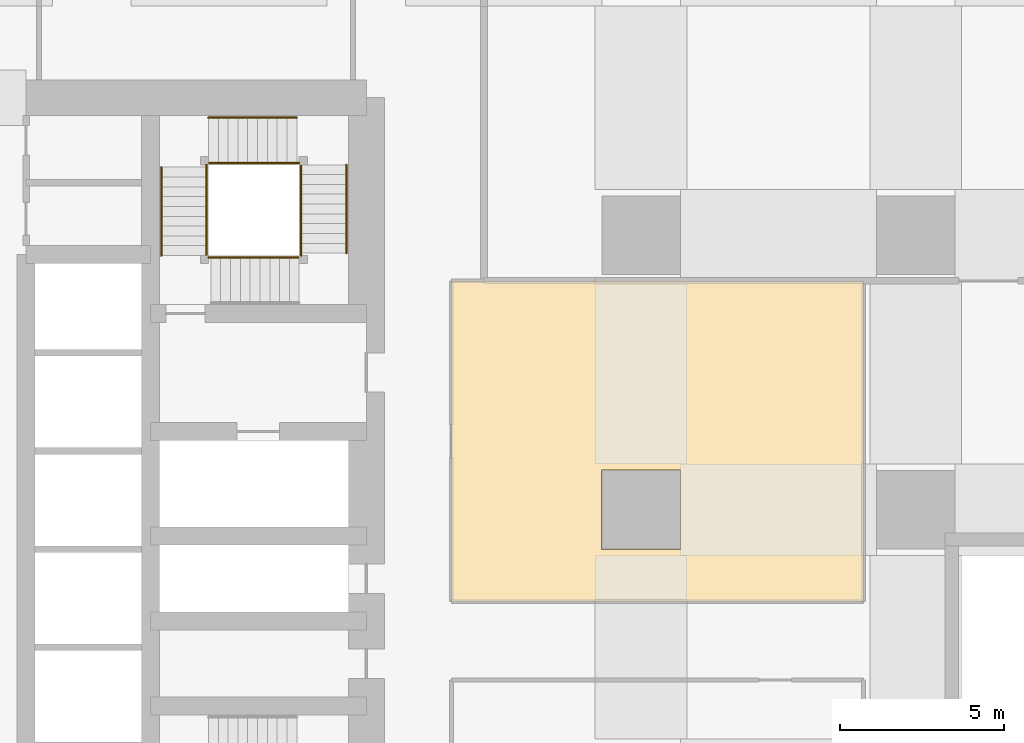
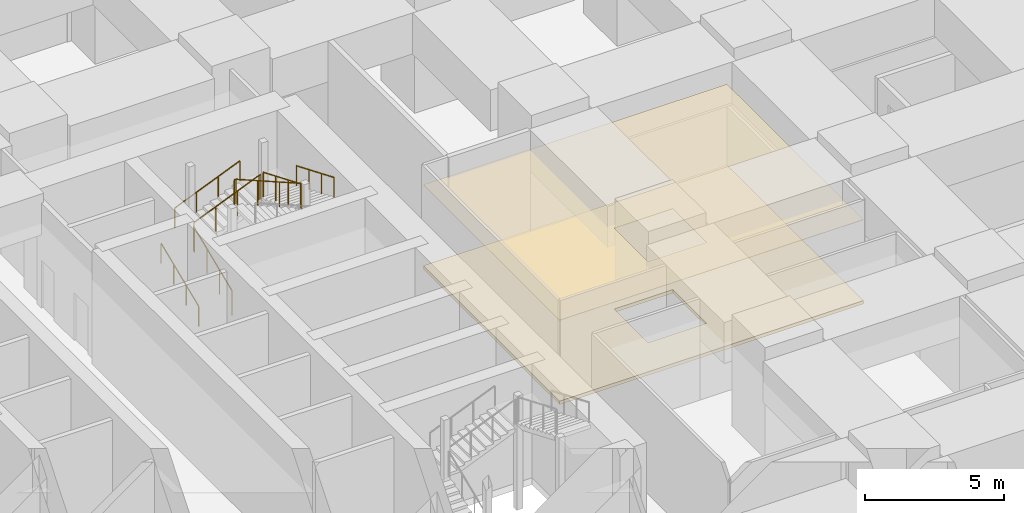
# One storey, part 51 of 52: 11 railings, 2 coverings.
"""IFC4 building model written with IfcOpenShell, lengths in metres."""

from ifc_helpers import new_model, si_unit, direction, frame, origin, origin_2d, place, context, subcontext, project, spatial, polyline, circle, outline, extrude, material, layer, layer_set, type_object, element, save


model = new_model("IFC4")

# Units and contexts
model_context = context("Model", 3, precision=1e-05, world=origin(), true_north=direction((0.0, 1.0)))
body_context = subcontext(model_context, "Body", "Model", "MODEL_VIEW")
ifc_project = project(units=[si_unit("LENGTHUNIT", "METRE"), si_unit("AREAUNIT", "SQUARE_METRE"), si_unit("VOLUMEUNIT", "CUBIC_METRE"), si_unit("PLANEANGLEUNIT", "RADIAN"), si_unit("MASSUNIT", "GRAM", prefix="KILO")], contexts=[model_context])

# Site, building, storey
site_placement = place(None, origin())
site = spatial("IfcSite", under=ifc_project, at=site_placement, CompositionType="ELEMENT")
building_placement = place(site_placement, origin())
building = spatial("IfcBuilding", under=site, at=building_placement, Name="Rekha Terrace Tower", CompositionType="ELEMENT")
storey_placement = place(building_placement, frame((0.0, 0.0, 20.39990234375)))
storey = spatial("IfcBuildingStorey", under=building, at=storey_placement, Name="L04", CompositionType="ELEMENT", Elevation=20.39990234375)

# Covering
ifc_material_1 = material(Name="Mineral fibre tile in exposed grid", Category="finish")
ifc_layer_1 = layer(ifc_material_1, 0.02001953125)
ifc_layer_set_1 = layer_set([ifc_layer_1], Name="Mineral fibre tile in exposed grid")
covering_type_1 = type_object("IfcCoveringType", Name="CL1 600x1200 office grid ceiling", PredefinedType="CEILING", material=ifc_layer_set_1)
covering_1_placement = place(storey_placement, frame((0.0, 0.0, 3.68017578125)))
element("IfcCovering", 1, at=covering_1_placement, inside=storey, type_object=covering_type_1, Name="Ceiling L04-10", PredefinedType="CEILING", context=body_context, shape_type="SweptSolid", body=[
    extrude(outline(polyline([(53.0, 40.60009765625), (53.0, 30.800048828125), (65.60009765625, 30.800048828125), (65.60009765625, 40.60009765625), (53.0, 40.60009765625)]), holes=[polyline([(57.5849609375, 32.385009765625), (57.5849609375, 34.81494140625), (60.014892578125, 34.81494140625), (60.014892578125, 32.385009765625), (57.5849609375, 32.385009765625)])]), origin(), (0.0, 0.0, 1.0), 0.02001953125),
])

# Railings
ifc_material_2 = material(Name="Stainless steel balustrade", Category="steel")
railing_type_1 = type_object("IfcRailingType", Name="GR1 1100 stair guard", PredefinedType="GUARDRAIL", material=ifc_material_2)
railing_1_placement = place(storey_placement, frame((45.514892578125, 41.375, 0.125)))
element("IfcRailing", 2, at=railing_1_placement, inside=storey, type_object=railing_type_1, Name="Guard ST2 L04 flight 1", PredefinedType="GUARDRAIL", context=body_context, shape_type="SweptSolid", body=[
    extrude(circle(Radius=0.02392578125, at=origin_2d()), frame((0.0, 0.0, 1.076171875), z_axis=(0.0, 0.923074453586, 0.384621311341), x_axis=(-1.0, 0.0, 0.0)), (0.0, 0.0, 1.0), 2.925048828125),
    extrude(circle(Radius=0.02099609375, at=origin_2d()), origin(), (0.0, 0.0, 1.0), 1.052001953125),
    extrude(circle(Radius=0.02099609375, at=origin_2d()), frame((0.0, 0.89990234375, 0.375)), (0.0, 0.0, 1.0), 1.052001953125),
    extrude(circle(Radius=0.02099609375, at=origin_2d()), frame((0.0, 1.800048828125, 0.75)), (0.0, 0.0, 1.0), 1.052001953125),
    extrude(circle(Radius=0.02099609375, at=origin_2d()), frame((0.0, 2.699951171875, 1.125)), (0.0, 0.0, 1.0), 1.052001953125),
])
railing_2_placement = place(storey_placement, frame((45.574951171875, 44.2099609375, 1.375)))
element("IfcRailing", 3, at=railing_2_placement, inside=storey, type_object=railing_type_1, Name="Guard ST2 L04 flight 2", PredefinedType="GUARDRAIL", context=body_context, shape_type="SweptSolid", body=[
    extrude(circle(Radius=0.02392578125, at=origin_2d()), frame((0.0, 0.0, 1.076171875), z_axis=(0.923074453586, 0.0, 0.384621311341), x_axis=(0.0, 1.0, 0.0)), (0.0, 0.0, 1.0), 2.925048828125),
    extrude(circle(Radius=0.02099609375, at=origin_2d()), origin(), (0.0, 0.0, 1.0), 1.052001953125),
    extrude(circle(Radius=0.02099609375, at=origin_2d()), frame((0.89990234375, 0.0, 0.375)), (0.0, 0.0, 1.0), 1.052001953125),
    extrude(circle(Radius=0.02099609375, at=origin_2d()), frame((1.800048828125, 0.0, 0.75)), (0.0, 0.0, 1.0), 1.052001953125),
    extrude(circle(Radius=0.02099609375, at=origin_2d()), frame((2.699951171875, 0.0, 1.125)), (0.0, 0.0, 1.0), 1.052001953125),
])
railing_3_placement = place(storey_placement, frame((48.409912109375, 44.14990234375, 2.625)))
element("IfcRailing", 4, at=railing_3_placement, inside=storey, type_object=railing_type_1, Name="Guard ST2 L04 flight 3", PredefinedType="GUARDRAIL", context=body_context, shape_type="SweptSolid", body=[
    extrude(circle(Radius=0.02392578125, at=origin_2d()), frame((0.0, 0.0, 1.076171875), z_axis=(0.0, -0.923074453586, 0.384621311341), x_axis=(1.0, 0.0, 0.0)), (0.0, 0.0, 1.0), 2.925048828125),
    extrude(circle(Radius=0.02099609375, at=origin_2d()), origin(), (0.0, 0.0, 1.0), 1.052001953125),
    extrude(circle(Radius=0.02099609375, at=origin_2d()), frame((0.0, -0.89990234375, 0.375)), (0.0, 0.0, 1.0), 1.052001953125),
    extrude(circle(Radius=0.02099609375, at=origin_2d()), frame((0.0, -1.800048828125, 0.75)), (0.0, 0.0, 1.0), 1.052001953125),
    extrude(circle(Radius=0.02099609375, at=origin_2d()), frame((0.0, -2.699951171875, 1.125)), (0.0, 0.0, 1.0), 1.052001953125),
])
railing_4_placement = place(storey_placement, frame((48.35009765625, 41.31494140625, 3.875)))
element("IfcRailing", 5, at=railing_4_placement, inside=storey, type_object=railing_type_1, Name="Guard ST2 L04 flight 4", PredefinedType="GUARDRAIL", context=body_context, shape_type="SweptSolid", body=[
    extrude(circle(Radius=0.02392578125, at=origin_2d()), frame((0.0, 0.0, 1.076171875), z_axis=(-0.923086799901, 0.0, 0.38459167938), x_axis=(0.0, -1.0, 0.0)), (0.0, 0.0, 1.0), 2.92529296875),
    extrude(circle(Radius=0.02099609375, at=origin_2d()), origin(), (0.0, 0.0, 1.0), 1.052001953125),
    extrude(circle(Radius=0.02099609375, at=origin_2d()), frame((-0.900146484375, 0.0, 0.375)), (0.0, 0.0, 1.0), 1.052001953125),
    extrude(circle(Radius=0.02099609375, at=origin_2d()), frame((-1.800048828125, 0.0, 0.75)), (0.0, 0.0, 1.0), 1.052001953125),
    extrude(circle(Radius=0.02099609375, at=origin_2d()), frame((-2.7001953125, 0.0, 1.125)), (0.0, 0.0, 1.0), 1.052001953125),
])
railing_5_placement = place(storey_placement, frame((45.514892578125, 44.074951171875, 1.25)))
element("IfcRailing", 6, at=railing_5_placement, inside=storey, type_object=railing_type_1, Name="Guard ST2 L04 landing 1", PredefinedType="GUARDRAIL", context=body_context, shape_type="SweptSolid", body=[
    extrude(circle(Radius=0.02392578125, at=origin_2d()), frame((0.0, 0.0, 1.076171875), z_axis=(0.0, 1.0, 0.0), x_axis=(-1.0, 0.0, 0.0)), (0.0, 0.0, 1.0), 0.074951171875),
    extrude(circle(Radius=0.02099609375, at=origin_2d()), origin(), (0.0, 0.0, 1.0), 1.052001953125),
    extrude(circle(Radius=0.02099609375, at=origin_2d()), frame((0.0, 0.074951171875, 0.0)), (0.0, 0.0, 1.0), 1.052001953125),
])
railing_6_placement = place(storey_placement, frame((48.27490234375, 44.2099609375, 2.5)))
element("IfcRailing", 7, at=railing_6_placement, inside=storey, type_object=railing_type_1, Name="Guard ST2 L04 landing 2", PredefinedType="GUARDRAIL", context=body_context, shape_type="SweptSolid", body=[
    extrude(circle(Radius=0.02392578125, at=origin_2d()), frame((0.0, 0.0, 1.076171875), z_axis=(1.0, 0.0, 0.0), x_axis=(0.0, 1.0, 0.0)), (0.0, 0.0, 1.0), 0.0751953125),
    extrude(circle(Radius=0.02099609375, at=origin_2d()), origin(), (0.0, 0.0, 1.0), 1.052001953125),
    extrude(circle(Radius=0.02099609375, at=origin_2d()), frame((0.0751953125, 0.0, 0.0)), (0.0, 0.0, 1.0), 1.052001953125),
])
railing_7_placement = place(storey_placement, frame((48.409912109375, 41.375, 3.75)))
element("IfcRailing", 8, at=railing_7_placement, inside=storey, type_object=railing_type_1, Name="Guard ST2 L04 landing 3", PredefinedType="GUARDRAIL", context=body_context, shape_type="SweptSolid", body=[
    extrude(circle(Radius=0.02392578125, at=origin_2d()), frame((0.0, 0.0, 1.076171875), z_axis=(0.0, 1.0, 0.0), x_axis=(-1.0, 0.0, 0.0)), (0.0, 0.0, 1.0), 0.074951171875),
    extrude(circle(Radius=0.02099609375, at=origin_2d()), origin(), (0.0, 0.0, 1.0), 1.052001953125),
    extrude(circle(Radius=0.02099609375, at=origin_2d()), frame((0.0, 0.074951171875, 0.0)), (0.0, 0.0, 1.0), 1.052001953125),
])
railing_8_placement = place(storey_placement, frame((45.574951171875, 41.31494140625, 5.0)))
element("IfcRailing", 9, at=railing_8_placement, inside=storey, type_object=railing_type_1, Name="Guard ST2 L04 landing 4", PredefinedType="GUARDRAIL", context=body_context, shape_type="SweptSolid", body=[
    extrude(circle(Radius=0.02392578125, at=origin_2d()), frame((0.0, 0.0, 1.076171875), z_axis=(1.0, 0.0, 0.0), x_axis=(0.0, 1.0, 0.0)), (0.0, 0.0, 1.0), 0.074951171875),
    extrude(circle(Radius=0.02099609375, at=origin_2d()), origin(), (0.0, 0.0, 1.0), 1.052001953125),
    extrude(circle(Radius=0.02099609375, at=origin_2d()), frame((0.074951171875, 0.0, 0.0)), (0.0, 0.0, 1.0), 1.052001953125),
])
ifc_material_3 = material(Name="Stainless steel tube", Category="steel")
railing_type_2 = type_object("IfcRailingType", Name="HR1 900 stair handrail", PredefinedType="HANDRAIL", material=ifc_material_3)
railing_9_placement = place(storey_placement, frame((44.135009765625, 41.375, 0.125)))
element("IfcRailing", 10, at=railing_9_placement, inside=storey, type_object=railing_type_2, Name="Handrail ST2 L04 flight 1", PredefinedType="HANDRAIL", context=body_context, shape_type="SweptSolid", body=[
    extrude(circle(Radius=0.02392578125, at=origin_2d()), frame((0.0, 0.0, 0.8759765625), z_axis=(0.0, 0.923074453586, 0.384621311341), x_axis=(-1.0, 0.0, 0.0)), (0.0, 0.0, 1.0), 2.925048828125),
    extrude(circle(Radius=0.02099609375, at=origin_2d()), origin(), (0.0, 0.0, 1.0), 0.851806640625),
    extrude(circle(Radius=0.02099609375, at=origin_2d()), frame((0.0, 0.89990234375, 0.375)), (0.0, 0.0, 1.0), 0.851806640625),
    extrude(circle(Radius=0.02099609375, at=origin_2d()), frame((0.0, 1.800048828125, 0.75)), (0.0, 0.0, 1.0), 0.851806640625),
    extrude(circle(Radius=0.02099609375, at=origin_2d()), frame((0.0, 2.699951171875, 1.125)), (0.0, 0.0, 1.0), 0.851806640625),
])
railing_10_placement = place(storey_placement, frame((45.574951171875, 45.590087890625, 1.375)))
element("IfcRailing", 11, at=railing_10_placement, inside=storey, type_object=railing_type_2, Name="Handrail ST2 L04 flight 2", PredefinedType="HANDRAIL", context=body_context, shape_type="SweptSolid", body=[
    extrude(circle(Radius=0.02392578125, at=origin_2d()), frame((0.0, 0.0, 0.8759765625), z_axis=(0.923074453586, 0.0, 0.384621311341), x_axis=(0.0, 1.0, 0.0)), (0.0, 0.0, 1.0), 2.925048828125),
    extrude(circle(Radius=0.02099609375, at=origin_2d()), origin(), (0.0, 0.0, 1.0), 0.851806640625),
    extrude(circle(Radius=0.02099609375, at=origin_2d()), frame((0.89990234375, 0.0, 0.375)), (0.0, 0.0, 1.0), 0.851806640625),
    extrude(circle(Radius=0.02099609375, at=origin_2d()), frame((1.800048828125, 0.0, 0.75)), (0.0, 0.0, 1.0), 0.851806640625),
    extrude(circle(Radius=0.02099609375, at=origin_2d()), frame((2.699951171875, 0.0, 1.125)), (0.0, 0.0, 1.0), 0.851806640625),
])
railing_11_placement = place(storey_placement, frame((49.7900390625, 44.14990234375, 2.625)))
element("IfcRailing", 12, at=railing_11_placement, inside=storey, type_object=railing_type_2, Name="Handrail ST2 L04 flight 3", PredefinedType="HANDRAIL", context=body_context, shape_type="SweptSolid", body=[
    extrude(circle(Radius=0.02392578125, at=origin_2d()), frame((0.0, 0.0, 0.8759765625), z_axis=(0.0, -0.923074453586, 0.384621311341), x_axis=(1.0, 0.0, 0.0)), (0.0, 0.0, 1.0), 2.925048828125),
    extrude(circle(Radius=0.02099609375, at=origin_2d()), origin(), (0.0, 0.0, 1.0), 0.851806640625),
    extrude(circle(Radius=0.02099609375, at=origin_2d()), frame((0.0, -0.89990234375, 0.375)), (0.0, 0.0, 1.0), 0.851806640625),
    extrude(circle(Radius=0.02099609375, at=origin_2d()), frame((0.0, -1.800048828125, 0.75)), (0.0, 0.0, 1.0), 0.851806640625),
    extrude(circle(Radius=0.02099609375, at=origin_2d()), frame((0.0, -2.699951171875, 1.125)), (0.0, 0.0, 1.0), 0.851806640625),
])

# Covering
ifc_material_4 = material(Name="Calcium sulphate panels on steel pedestals", Category="steel")
ifc_layer_2 = layer(ifc_material_4, 0.14990234375)
ifc_layer_set_2 = layer_set([ifc_layer_2], Name="Calcium sulphate panels on steel pedestals")
covering_type_2 = type_object("IfcCoveringType", Name="RF1 150 raised access floor", PredefinedType="FLOORING", material=ifc_layer_set_2)
covering_2_placement = place(storey_placement, origin())
element("IfcCovering", 13, at=covering_2_placement, inside=storey, type_object=covering_type_2, Name="Raised floor L04-10", PredefinedType="FLOORING", context=body_context, shape_type="SweptSolid", body=[
    extrude(outline(polyline([(53.0, 40.60009765625), (53.0, 30.800048828125), (65.60009765625, 30.800048828125), (65.60009765625, 40.60009765625), (53.0, 40.60009765625)]), holes=[polyline([(57.5849609375, 32.385009765625), (57.5849609375, 34.81494140625), (60.014892578125, 34.81494140625), (60.014892578125, 32.385009765625), (57.5849609375, 32.385009765625)])]), origin(), (0.0, 0.0, 1.0), 0.150146484375),
])

save(model, "model.ifc")
